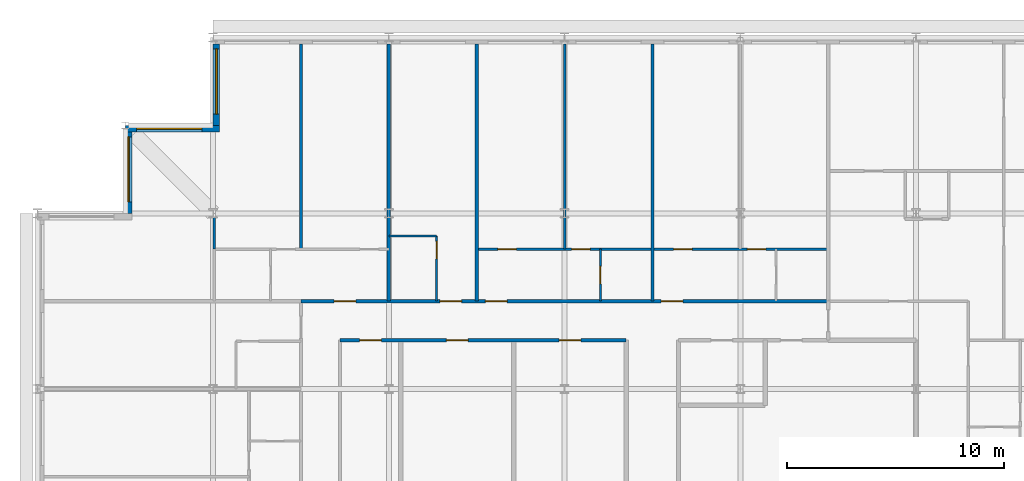
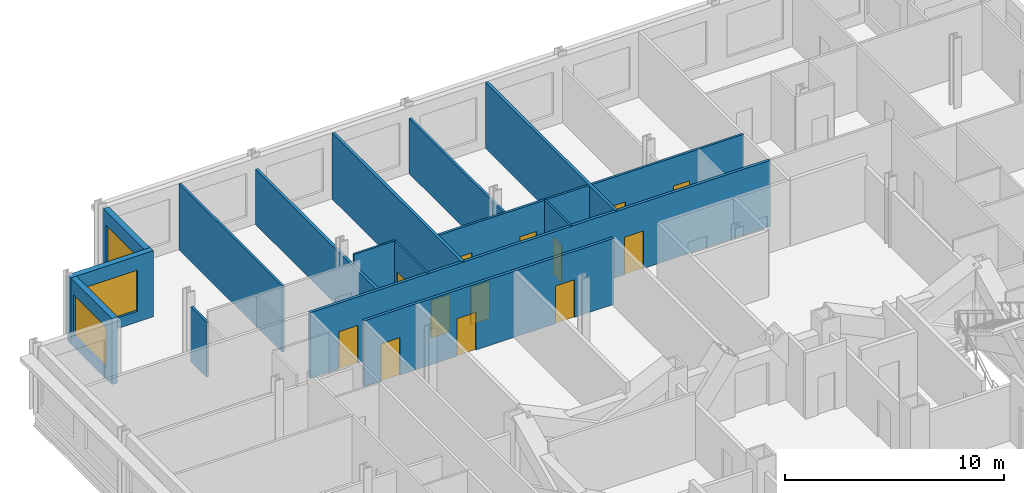
# One storey, part 12 of 15: 15 walls, 13 doors, 3 windows, 16 openings.
"""IFC4 building model written with IfcOpenShell, lengths in metres."""

from ifc_helpers import new_model, si_unit, direction, frame, frame_2d, origin, place, context, subcontext, project, spatial, rectangle, extrude, material, layer, layer_set, type_object, element, fill, save


model = new_model("IFC4")

# Units and contexts
model_context = context("Model", 3, precision=1e-05, world=origin(), true_north=direction((0.0, 1.0)))
body_context = subcontext(model_context, "Body", "Model", "MODEL_VIEW")
ifc_project = project(units=[si_unit("LENGTHUNIT", "METRE"), si_unit("AREAUNIT", "SQUARE_METRE"), si_unit("VOLUMEUNIT", "CUBIC_METRE"), si_unit("PLANEANGLEUNIT", "RADIAN"), si_unit("MASSUNIT", "GRAM", prefix="KILO")], contexts=[model_context])

# Site, building, storey
site_placement = place(None, origin())
site = spatial("IfcSite", under=ifc_project, at=site_placement, CompositionType="ELEMENT")
building_placement = place(site_placement, origin())
building = spatial("IfcBuilding", under=site, at=building_placement, Name="Kopane Lantern Tower", CompositionType="ELEMENT")
storey_placement = place(building_placement, frame((0.0, 0.0, 273.60009765625)))
storey = spatial("IfcBuildingStorey", under=building, at=storey_placement, Name="L70", CompositionType="ELEMENT", Elevation=273.60009765625)

# Wall, openings, doors
ifc_material_1 = material(Name="Gypsum board on steel studs", Category="steel")
ifc_layer_1 = layer(ifc_material_1, 0.1201171875)
ifc_layer_set_1 = layer_set([ifc_layer_1], Name="APARTMENT INTERNAL WALL 120")
wall_type_1 = type_object("IfcWallType", Name="APARTMENT INTERNAL WALL 120", PredefinedType="PARTITIONING", material=ifc_layer_set_1)
wall_1_placement = place(storey_placement, frame((20.25, 55.050048828125, 0.0), z_axis=(0.0, 0.0, 1.0), x_axis=(1.0, 0.0, 0.0)))
wall_1 = element("IfcWall", 1, at=wall_1_placement, inside=storey, type_object=wall_type_1, Name="Apartment Internal Wall 120 L70", PredefinedType="PARTITIONING", context=body_context, shape_type="SweptSolid", body=[
    extrude(rectangle(XDim=16.199951171875, YDim=0.1201171875, at=frame_2d((8.10009765625, 0.0))), origin(), (0.0, 0.0, 1.0), 3.68994140625),
])
opening_1_placement = place(wall_1_placement, frame((0.97509765625, 0.0, 0.0)))
opening_1 = element("IfcOpeningElement", 2, at=opening_1_placement, cuts=wall_1, Name="Opening L70-020", PredefinedType="OPENING", context=body_context, shape_type="SweptSolid", body=[
    extrude(rectangle(XDim=0.85009765625, YDim=2.10009765625, at=frame_2d((0.425048828125, 1.050048828125))), frame((0.0, 0.070068359375, 0.0), z_axis=(0.0, -1.0, 0.0), x_axis=(1.0, 0.0, 0.0)), (0.0, 0.0, 1.0), 0.14013671875),
])
opening_2_placement = place(wall_1_placement, frame((4.375, 0.0, 0.0)))
opening_2 = element("IfcOpeningElement", 3, at=opening_2_placement, cuts=wall_1, Name="Opening L70-021", PredefinedType="OPENING", context=body_context, shape_type="SweptSolid", body=[
    extrude(rectangle(XDim=0.85009765625, YDim=2.10009765625, at=frame_2d((0.425048828125, 1.050048828125))), frame((0.0, 0.070068359375, 0.0), z_axis=(0.0, -1.0, 0.0), x_axis=(1.0, 0.0, 0.0)), (0.0, 0.0, 1.0), 0.14013671875),
])
opening_3_placement = place(wall_1_placement, frame((9.074951171875, 0.0, 0.0)))
opening_3 = element("IfcOpeningElement", 4, at=opening_3_placement, cuts=wall_1, Name="Opening L70-024", PredefinedType="OPENING", context=body_context, shape_type="SweptSolid", body=[
    extrude(rectangle(XDim=0.85009765625, YDim=2.10009765625, at=frame_2d((0.425048828125, 1.050048828125))), frame((0.0, 0.070068359375, 0.0), z_axis=(0.0, -1.0, 0.0), x_axis=(1.0, 0.0, 0.0)), (0.0, 0.0, 1.0), 0.14013671875),
])
opening_4_placement = place(wall_1_placement, frame((12.47509765625, 0.0, 0.0)))
opening_4 = element("IfcOpeningElement", 5, at=opening_4_placement, cuts=wall_1, Name="Opening L70-025", PredefinedType="OPENING", context=body_context, shape_type="SweptSolid", body=[
    extrude(rectangle(XDim=0.85009765625, YDim=2.10009765625, at=frame_2d((0.425048828125, 1.050048828125))), frame((0.0, 0.070068359375, 0.0), z_axis=(0.0, -1.0, 0.0), x_axis=(1.0, 0.0, 0.0)), (0.0, 0.0, 1.0), 0.14013671875),
])
ifc_material_2 = material(Name="Timber door set", Category="wood")
door_type_1 = type_object("IfcDoorType", Name="DOOR D4 850x2100", OperationType="SINGLE_SWING_LEFT", PredefinedType="DOOR", material=ifc_material_2)
door_1_placement = place(opening_1_placement, origin())
door_1 = element("IfcDoor", 6, at=door_1_placement, inside=storey, type_object=door_type_1, Name="Door L70-020", OperationType="SINGLE_SWING_RIGHT", OverallHeight=2.10009765625, OverallWidth=0.85009765625, PredefinedType="DOOR", context=body_context, shape_type="SweptSolid", body=[
    extrude(rectangle(XDim=0.85009765625, YDim=2.10009765625, at=frame_2d((0.425048828125, 1.050048828125))), frame((0.0, 0.02490234375, 0.0), z_axis=(0.0, -1.0, 0.0), x_axis=(1.0, 0.0, 0.0)), (0.0, 0.0, 1.0), 0.050048828125),
])
fill(opening_1, door_1)
door_2_placement = place(opening_2_placement, origin())
door_2 = element("IfcDoor", 7, at=door_2_placement, inside=storey, type_object=door_type_1, Name="Door L70-021", OperationType="SINGLE_SWING_LEFT", OverallHeight=2.10009765625, OverallWidth=0.85009765625, PredefinedType="DOOR", context=body_context, shape_type="SweptSolid", body=[
    extrude(rectangle(XDim=0.85009765625, YDim=2.10009765625, at=frame_2d((0.425048828125, 1.050048828125))), frame((0.0, 0.02490234375, 0.0), z_axis=(0.0, -1.0, 0.0), x_axis=(1.0, 0.0, 0.0)), (0.0, 0.0, 1.0), 0.050048828125),
])
fill(opening_2, door_2)
door_3_placement = place(opening_3_placement, origin())
door_3 = element("IfcDoor", 8, at=door_3_placement, inside=storey, type_object=door_type_1, Name="Door L70-024", OperationType="SINGLE_SWING_RIGHT", OverallHeight=2.10009765625, OverallWidth=0.85009765625, PredefinedType="DOOR", context=body_context, shape_type="SweptSolid", body=[
    extrude(rectangle(XDim=0.85009765625, YDim=2.10009765625, at=frame_2d((0.425048828125, 1.050048828125))), frame((0.0, 0.02490234375, 0.0), z_axis=(0.0, -1.0, 0.0), x_axis=(1.0, 0.0, 0.0)), (0.0, 0.0, 1.0), 0.050048828125),
])
fill(opening_3, door_3)
door_4_placement = place(opening_4_placement, origin())
door_4 = element("IfcDoor", 9, at=door_4_placement, inside=storey, type_object=door_type_1, Name="Door L70-025", OperationType="SINGLE_SWING_LEFT", OverallHeight=2.10009765625, OverallWidth=0.85009765625, PredefinedType="DOOR", context=body_context, shape_type="SweptSolid", body=[
    extrude(rectangle(XDim=0.85009765625, YDim=2.10009765625, at=frame_2d((0.425048828125, 1.050048828125))), frame((0.0, 0.02490234375, 0.0), z_axis=(0.0, -1.0, 0.0), x_axis=(1.0, 0.0, 0.0)), (0.0, 0.0, 1.0), 0.050048828125),
])
fill(opening_4, door_4)

# Walls
wall_2_placement = place(storey_placement, frame((24.300048828125, 55.050048828125, 0.0), z_axis=(0.0, 0.0, 1.0), x_axis=(0.0, 1.0, 0.0)))
element("IfcWall", 10, at=wall_2_placement, inside=storey, type_object=wall_type_1, Name="Apartment Internal Wall 120 L70", PredefinedType="PARTITIONING", context=body_context, shape_type="SweptSolid", body=[
    extrude(rectangle(XDim=9.449951171875, YDim=0.1201171875, at=frame_2d((4.72509765625, 0.0))), origin(), (0.0, 0.0, 1.0), 3.07763671875),
])
wall_3_placement = place(storey_placement, frame((12.14990234375, 55.050048828125, 0.0), z_axis=(0.0, 0.0, 1.0), x_axis=(0.0, 1.0, 0.0)))
element("IfcWall", 11, at=wall_3_placement, inside=storey, type_object=wall_type_1, Name="Apartment Internal Wall 120 L70", PredefinedType="PARTITIONING", context=body_context, shape_type="SweptSolid", body=[
    extrude(rectangle(XDim=9.449951171875, YDim=0.1201171875, at=frame_2d((4.72509765625, 0.0))), origin(), (0.0, 0.0, 1.0), 3.68994140625),
])
wall_4_placement = place(storey_placement, frame((8.14990234375, 55.050048828125, 0.0), z_axis=(0.0, 0.0, 1.0), x_axis=(0.0, 1.0, 0.0)))
element("IfcWall", 12, at=wall_4_placement, inside=storey, type_object=wall_type_1, Name="Apartment Internal Wall 120 L70", PredefinedType="PARTITIONING", context=body_context, shape_type="SweptSolid", body=[
    extrude(rectangle(XDim=1.447021484375, YDim=0.1201171875, at=frame_2d((0.7236328125, 0.0))), origin(), (0.0, 0.0, 1.0), 3.07763671875),
])
ifc_material_3 = material(Name="Moisture-resistant board on steel studs", Category="steel")
ifc_layer_2 = layer(ifc_material_3, 0.10009765625)
ifc_layer_set_2 = layer_set([ifc_layer_2], Name="BATHROOM WALL 100")
wall_type_2 = type_object("IfcWallType", Name="BATHROOM WALL 100", PredefinedType="PARTITIONING", material=ifc_layer_set_2)
wall_5_placement = place(storey_placement, frame((16.199951171875, 55.64990234375, 0.0), z_axis=(0.0, 0.0, 1.0), x_axis=(1.0, 0.0, 0.0)))
element("IfcWall", 13, at=wall_5_placement, inside=storey, type_object=wall_type_2, Name="Bathroom Wall 100 L70", PredefinedType="PARTITIONING", context=body_context, shape_type="SweptSolid", body=[
    extrude(rectangle(XDim=2.199951171875, YDim=0.10009765625, at=frame_2d((1.10009765625, 0.0))), origin(), (0.0, 0.0, 1.0), 3.68994140625),
])

# Wall, opening, door
wall_6_placement = place(storey_placement, frame((18.39990234375, 52.64990234375, 0.0), z_axis=(0.0, 0.0, 1.0), x_axis=(0.0, 1.0, 0.0)))
wall_6 = element("IfcWall", 14, at=wall_6_placement, inside=storey, type_object=wall_type_2, Name="Bathroom Wall 100 L70", PredefinedType="PARTITIONING", context=body_context, shape_type="SweptSolid", body=[
    extrude(rectangle(XDim=3.0, YDim=0.10009765625, at=frame_2d((1.5, 0.0))), origin(), (0.0, 0.0, 1.0), 3.68994140625),
])
opening_5_placement = place(wall_6_placement, frame((1.949951171875, 0.0, 0.0)))
opening_5 = element("IfcOpeningElement", 15, at=opening_5_placement, cuts=wall_6, Name="Opening L70-016", PredefinedType="OPENING", context=body_context, shape_type="SweptSolid", body=[
    extrude(rectangle(XDim=0.800048828125, YDim=2.10009765625, at=frame_2d((0.39990234375, 1.050048828125))), frame((0.0, 0.06005859375, 0.0), z_axis=(0.0, -1.0, 0.0), x_axis=(1.0, 0.0, 0.0)), (0.0, 0.0, 1.0), 0.1201171875),
])
ifc_material_4 = material(Name="Timber door set", Category="wood")
door_type_2 = type_object("IfcDoorType", Name="DOOR D2 800x2100", OperationType="SINGLE_SWING_LEFT", PredefinedType="DOOR", material=ifc_material_4)
door_5_placement = place(opening_5_placement, origin())
door_5 = element("IfcDoor", 16, at=door_5_placement, inside=storey, type_object=door_type_2, Name="Door L70-016", OperationType="SINGLE_SWING_RIGHT", OverallHeight=2.10009765625, OverallWidth=0.800048828125, PredefinedType="DOOR", context=body_context, shape_type="SweptSolid", body=[
    extrude(rectangle(XDim=0.800048828125, YDim=2.10009765625, at=frame_2d((0.39990234375, 1.050048828125))), frame((0.0, 0.02490234375, 0.0), z_axis=(0.0, -1.0, 0.0), x_axis=(1.0, 0.0, 0.0)), (0.0, 0.0, 1.0), 0.050048828125),
])
fill(opening_5, door_5)

wall_7_placement = place(storey_placement, frame((25.949951171875, 52.64990234375, 0.0), z_axis=(0.0, 0.0, 1.0), x_axis=(0.0, 1.0, 0.0)))
wall_7 = element("IfcWall", 17, at=wall_7_placement, inside=storey, type_object=wall_type_2, Name="Bathroom Wall 100 L70", PredefinedType="PARTITIONING", context=body_context, shape_type="SweptSolid", body=[
    extrude(rectangle(XDim=2.400146484375, YDim=0.10009765625, at=frame_2d((1.2001953125, 0.0))), origin(), (0.0, 0.0, 1.0), 3.68994140625),
])
opening_6_placement = place(wall_7_placement, frame((0.800048828125, 0.0, 0.0)))
opening_6 = element("IfcOpeningElement", 18, at=opening_6_placement, cuts=wall_7, Name="Opening L70-018", PredefinedType="OPENING", context=body_context, shape_type="SweptSolid", body=[
    extrude(rectangle(XDim=0.800048828125, YDim=2.10009765625, at=frame_2d((0.39990234375, 1.050048828125))), frame((0.0, 0.06005859375, 0.0), z_axis=(0.0, -1.0, 0.0), x_axis=(1.0, 0.0, 0.0)), (0.0, 0.0, 1.0), 0.1201171875),
])
door_6_placement = place(opening_6_placement, origin())
door_6 = element("IfcDoor", 19, at=door_6_placement, inside=storey, type_object=door_type_2, Name="Door L70-018", OperationType="SINGLE_SWING_RIGHT", OverallHeight=2.10009765625, OverallWidth=0.800048828125, PredefinedType="DOOR", context=body_context, shape_type="SweptSolid", body=[
    extrude(rectangle(XDim=0.800048828125, YDim=2.10009765625, at=frame_2d((0.39990234375, 1.050048828125))), frame((0.0, 0.02490234375, 0.0), z_axis=(0.0, -1.0, 0.0), x_axis=(1.0, 0.0, 0.0)), (0.0, 0.0, 1.0), 0.050048828125),
])
fill(opening_6, door_6)

# Wall, openings, doors
ifc_material_5 = material(Name="Gypsum board on steel studs", Category="steel")
ifc_layer_3 = layer(ifc_material_5, 0.14990234375)
ifc_layer_set_3 = layer_set([ifc_layer_3], Name="CORRIDOR WALL 150 EI 60")
wall_type_3 = type_object("IfcWallType", Name="CORRIDOR WALL 150 EI 60", PredefinedType="PARTITIONING", material=ifc_layer_set_3)
wall_8_placement = place(storey_placement, frame((12.14990234375, 52.64990234375, 0.0), z_axis=(0.0, 0.0, 1.0), x_axis=(1.0, 0.0, 0.0)))
wall_8 = element("IfcWall", 20, at=wall_8_placement, inside=storey, type_object=wall_type_3, Name="Corridor Wall 150 Ei 60 L70", PredefinedType="PARTITIONING", context=body_context, shape_type="SweptSolid", body=[
    extrude(rectangle(XDim=24.300048828125, YDim=0.14990234375, at=frame_2d((12.14990234375, 0.0))), origin(), (0.0, 0.0, 1.0), 3.68994140625),
])
opening_7_placement = place(wall_8_placement, frame((6.39990234375, 0.0, 0.0)))
opening_7 = element("IfcOpeningElement", 21, at=opening_7_placement, cuts=wall_8, Name="Opening L70-017", PredefinedType="OPENING", context=body_context, shape_type="SweptSolid", body=[
    extrude(rectangle(XDim=1.0, YDim=2.10009765625, at=frame_2d((0.5, 1.050048828125))), frame((0.0, 0.0849609375, 0.0), z_axis=(0.0, -1.0, 0.0), x_axis=(1.0, 0.0, 0.0)), (0.0, 0.0, 1.0), 0.169921875),
])
opening_8_placement = place(wall_8_placement, frame((8.5, 0.0, 0.0)))
opening_8 = element("IfcOpeningElement", 22, at=opening_8_placement, cuts=wall_8, Name="Opening L70-019", PredefinedType="OPENING", context=body_context, shape_type="SweptSolid", body=[
    extrude(rectangle(XDim=1.0, YDim=2.10009765625, at=frame_2d((0.5, 1.050048828125))), frame((0.0, 0.0849609375, 0.0), z_axis=(0.0, -1.0, 0.0), x_axis=(1.0, 0.0, 0.0)), (0.0, 0.0, 1.0), 0.169921875),
])
opening_9_placement = place(wall_8_placement, frame((16.60009765625, 0.0, 0.0)))
opening_9 = element("IfcOpeningElement", 23, at=opening_9_placement, cuts=wall_8, Name="Opening L70-023", PredefinedType="OPENING", context=body_context, shape_type="SweptSolid", body=[
    extrude(rectangle(XDim=1.0, YDim=2.10009765625, at=frame_2d((0.5, 1.050048828125))), frame((0.0, 0.0849609375, 0.0), z_axis=(0.0, -1.0, 0.0), x_axis=(1.0, 0.0, 0.0)), (0.0, 0.0, 1.0), 0.169921875),
])
opening_10_placement = place(wall_8_placement, frame((1.52490234375, 0.0, 0.0)))
opening_10 = element("IfcOpeningElement", 24, at=opening_10_placement, cuts=wall_8, Name="Opening L70-041", PredefinedType="OPENING", context=body_context, shape_type="SweptSolid", body=[
    extrude(rectangle(XDim=1.0, YDim=2.10009765625, at=frame_2d((0.5, 1.050048828125))), frame((0.0, 0.0849609375, 0.0), z_axis=(0.0, -1.0, 0.0), x_axis=(1.0, 0.0, 0.0)), (0.0, 0.0, 1.0), 0.169921875),
])
ifc_material_6 = material(Name="Steel door set", Category="steel")
door_type_3 = type_object("IfcDoorType", Name="DOOR D3 1000x2100 FD30S", OperationType="SINGLE_SWING_LEFT", PredefinedType="DOOR", material=ifc_material_6)
door_7_placement = place(opening_7_placement, origin())
door_7 = element("IfcDoor", 25, at=door_7_placement, inside=storey, type_object=door_type_3, Name="Door L70-017", OperationType="SINGLE_SWING_LEFT", OverallHeight=2.10009765625, OverallWidth=1.0, PredefinedType="DOOR", context=body_context, shape_type="SweptSolid", body=[
    extrude(rectangle(XDim=1.0, YDim=2.10009765625, at=frame_2d((0.5, 1.050048828125))), frame((0.0, 0.02490234375, 0.0), z_axis=(0.0, -1.0, 0.0), x_axis=(1.0, 0.0, 0.0)), (0.0, 0.0, 1.0), 0.050048828125),
])
fill(opening_7, door_7)
door_8_placement = place(opening_8_placement, origin())
door_8 = element("IfcDoor", 26, at=door_8_placement, inside=storey, type_object=door_type_3, Name="Door L70-019", OperationType="SINGLE_SWING_LEFT", OverallHeight=2.10009765625, OverallWidth=1.0, PredefinedType="DOOR", context=body_context, shape_type="SweptSolid", body=[
    extrude(rectangle(XDim=1.0, YDim=2.10009765625, at=frame_2d((0.5, 1.050048828125))), frame((0.0, 0.02490234375, 0.0), z_axis=(0.0, -1.0, 0.0), x_axis=(1.0, 0.0, 0.0)), (0.0, 0.0, 1.0), 0.050048828125),
])
fill(opening_8, door_8)
door_9_placement = place(opening_9_placement, origin())
door_9 = element("IfcDoor", 27, at=door_9_placement, inside=storey, type_object=door_type_3, Name="Door L70-023", OperationType="SINGLE_SWING_LEFT", OverallHeight=2.10009765625, OverallWidth=1.0, PredefinedType="DOOR", context=body_context, shape_type="SweptSolid", body=[
    extrude(rectangle(XDim=1.0, YDim=2.10009765625, at=frame_2d((0.5, 1.050048828125))), frame((0.0, 0.02490234375, 0.0), z_axis=(0.0, -1.0, 0.0), x_axis=(1.0, 0.0, 0.0)), (0.0, 0.0, 1.0), 0.050048828125),
])
fill(opening_9, door_9)
door_10_placement = place(opening_10_placement, origin())
door_10 = element("IfcDoor", 28, at=door_10_placement, inside=storey, type_object=door_type_3, Name="Door L70-041", OperationType="SINGLE_SWING_RIGHT", OverallHeight=2.10009765625, OverallWidth=1.0, PredefinedType="DOOR", context=body_context, shape_type="SweptSolid", body=[
    extrude(rectangle(XDim=1.0, YDim=2.10009765625, at=frame_2d((0.5, 1.050048828125))), frame((0.0, 0.02490234375, 0.0), z_axis=(0.0, -1.0, 0.0), x_axis=(1.0, 0.0, 0.0)), (0.0, 0.0, 1.0), 0.050048828125),
])
fill(opening_10, door_10)

wall_9_placement = place(storey_placement, frame((13.949951171875, 50.85009765625, 0.0), z_axis=(0.0, 0.0, 1.0), x_axis=(1.0, 0.0, 0.0)))
wall_9 = element("IfcWall", 29, at=wall_9_placement, inside=storey, type_object=wall_type_3, Name="Corridor Wall 150 Ei 60 L70", PredefinedType="PARTITIONING", context=body_context, shape_type="SweptSolid", body=[
    extrude(rectangle(XDim=13.18994140625, YDim=0.14990234375, at=frame_2d((6.594970703125, 0.0))), origin(), (0.0, 0.0, 1.0), 3.68994140625),
])
opening_11_placement = place(wall_9_placement, frame((0.90087890625, 0.0, 0.0)))
opening_11 = element("IfcOpeningElement", 30, at=opening_11_placement, cuts=wall_9, Name="Opening L70-003", PredefinedType="OPENING", context=body_context, shape_type="SweptSolid", body=[
    extrude(rectangle(XDim=1.0, YDim=2.10009765625, at=frame_2d((0.5, 1.050048828125))), frame((0.0, 0.0849609375, 0.0), z_axis=(0.0, -1.0, 0.0), x_axis=(1.0, 0.0, 0.0)), (0.0, 0.0, 1.0), 0.169921875),
])
opening_12_placement = place(wall_9_placement, frame((4.9013671875, 0.0, 0.0)))
opening_12 = element("IfcOpeningElement", 31, at=opening_12_placement, cuts=wall_9, Name="Opening L70-004", PredefinedType="OPENING", context=body_context, shape_type="SweptSolid", body=[
    extrude(rectangle(XDim=1.0, YDim=2.10009765625, at=frame_2d((0.5, 1.050048828125))), frame((0.0, 0.0849609375, 0.0), z_axis=(0.0, -1.0, 0.0), x_axis=(1.0, 0.0, 0.0)), (0.0, 0.0, 1.0), 0.169921875),
])
opening_13_placement = place(wall_9_placement, frame((10.1005859375, 0.0, 0.0)))
opening_13 = element("IfcOpeningElement", 32, at=opening_13_placement, cuts=wall_9, Name="Opening L70-005", PredefinedType="OPENING", context=body_context, shape_type="SweptSolid", body=[
    extrude(rectangle(XDim=1.0, YDim=2.10009765625, at=frame_2d((0.5, 1.050048828125))), frame((0.0, 0.0849609375, 0.0), z_axis=(0.0, -1.0, 0.0), x_axis=(1.0, 0.0, 0.0)), (0.0, 0.0, 1.0), 0.169921875),
])
ifc_material_7 = material(Name="Steel door set", Category="steel")
door_type_4 = type_object("IfcDoorType", Name="DOOR D5 1000x2100 FD60", OperationType="SINGLE_SWING_LEFT", PredefinedType="DOOR", material=ifc_material_7)
door_11_placement = place(opening_11_placement, origin())
door_11 = element("IfcDoor", 33, at=door_11_placement, inside=storey, type_object=door_type_4, Name="Door L70-003", OperationType="SINGLE_SWING_RIGHT", OverallHeight=2.10009765625, OverallWidth=1.0, PredefinedType="DOOR", context=body_context, shape_type="SweptSolid", body=[
    extrude(rectangle(XDim=1.0, YDim=2.10009765625, at=frame_2d((0.5, 1.050048828125))), frame((0.0, 0.02490234375, 0.0), z_axis=(0.0, -1.0, 0.0), x_axis=(1.0, 0.0, 0.0)), (0.0, 0.0, 1.0), 0.050048828125),
])
fill(opening_11, door_11)
door_12_placement = place(opening_12_placement, origin())
door_12 = element("IfcDoor", 34, at=door_12_placement, inside=storey, type_object=door_type_4, Name="Door L70-004", OperationType="SINGLE_SWING_LEFT", OverallHeight=2.10009765625, OverallWidth=1.0, PredefinedType="DOOR", context=body_context, shape_type="SweptSolid", body=[
    extrude(rectangle(XDim=1.0, YDim=2.10009765625, at=frame_2d((0.5, 1.050048828125))), frame((0.0, 0.02490234375, 0.0), z_axis=(0.0, -1.0, 0.0), x_axis=(1.0, 0.0, 0.0)), (0.0, 0.0, 1.0), 0.050048828125),
])
fill(opening_12, door_12)
door_13_placement = place(opening_13_placement, origin())
door_13 = element("IfcDoor", 35, at=door_13_placement, inside=storey, type_object=door_type_4, Name="Door L70-005", OperationType="SINGLE_SWING_RIGHT", OverallHeight=2.10009765625, OverallWidth=1.0, PredefinedType="DOOR", context=body_context, shape_type="SweptSolid", body=[
    extrude(rectangle(XDim=1.0, YDim=2.10009765625, at=frame_2d((0.5, 1.050048828125))), frame((0.0, 0.02490234375, 0.0), z_axis=(0.0, -1.0, 0.0), x_axis=(1.0, 0.0, 0.0)), (0.0, 0.0, 1.0), 0.050048828125),
])
fill(opening_13, door_13)

# Walls
ifc_material_8 = material(Name="Gypsum board on steel studs", Category="steel")
ifc_layer_4 = layer(ifc_material_8, 0.14990234375)
ifc_layer_set_4 = layer_set([ifc_layer_4], Name="DEMISING WALL 150 EI 60")
wall_type_4 = type_object("IfcWallType", Name="DEMISING WALL 150 EI 60", PredefinedType="PARTITIONING", material=ifc_layer_set_4)
for number, where, z_axis, x_axis, name in (
    (36, (20.25, 52.64990234375, 0.0), (0.0, 0.0, 1.0), (0.0, 1.0, 0.0), "Demising Wall 150 Ei 60 L70"),
    (37, (28.35009765625, 52.64990234375, 0.0), (0.0, 0.0, 1.0), (0.0, 1.0, 0.0), "Demising Wall 150 Ei 60 L70"),
):
    element("IfcWall", number, at=place(storey_placement, frame(where, z_axis=z_axis, x_axis=x_axis)), inside=storey, type_object=wall_type_4, Name=name, PredefinedType="PARTITIONING", context=body_context, shape_type="SweptSolid", body=[
        extrude(rectangle(XDim=11.85009765625, YDim=0.14990234375, at=frame_2d((5.925048828125, 0.0))), origin(), (0.0, 0.0, 1.0), 3.68994140625),
    ])
wall_10_placement = place(storey_placement, frame((16.199951171875, 52.64990234375, 0.0), z_axis=(0.0, 0.0, 1.0), x_axis=(0.0, 1.0, 0.0)))
element("IfcWall", 38, at=wall_10_placement, inside=storey, type_object=wall_type_4, Name="Demising Wall 150 Ei 60 L70", PredefinedType="PARTITIONING", context=body_context, shape_type="SweptSolid", body=[
    extrude(rectangle(XDim=11.85009765625, YDim=0.14990234375, at=frame_2d((5.925048828125, 0.0))), origin(), (0.0, 0.0, 1.0), 3.07763671875),
])

# Wall, opening, window
ifc_material_9 = material(Name="Terracotta rainscreen on light steel framing", Category="masonry")
ifc_layer_5 = layer(ifc_material_9, 0.300048828125)
ifc_layer_set_5 = layer_set([ifc_layer_5], Name="EXTERNAL WALL EW1 300 TERRACOTTA")
wall_type_5 = type_object("IfcWallType", Name="EXTERNAL WALL EW1 300 TERRACOTTA", PredefinedType="SOLIDWALL", material=ifc_layer_set_5)
wall_11_placement = place(storey_placement, frame((8.25, 64.5, 0.0), z_axis=(0.0, 0.0, 1.0), x_axis=(0.0, -1.0, 0.0)))
wall_11 = element("IfcWall", 39, at=wall_11_placement, inside=storey, type_object=wall_type_5, Name="External wall W L70", PredefinedType="SOLIDWALL", context=body_context, shape_type="SweptSolid", body=[
    extrude(rectangle(XDim=3.75, YDim=0.300048828125, at=frame_2d((1.875, 0.0))), origin(), (0.0, 0.0, 1.0), 3.68994140625),
])
opening_14_placement = place(wall_11_placement, frame((0.22509765625, 0.0, 0.60009765625)))
opening_14 = element("IfcOpeningElement", 40, at=opening_14_placement, cuts=wall_11, Name="Opening WR300230", PredefinedType="OPENING", context=body_context, shape_type="SweptSolid", body=[
    extrude(rectangle(XDim=3.0, YDim=2.300048828125, at=frame_2d((1.5, 1.14990234375))), frame((0.0, 0.159912109375, 0.0), z_axis=(0.0, -1.0, 0.0), x_axis=(1.0, 0.0, 0.0)), (0.0, 0.0, 1.0), 0.320068359375),
])
ifc_material_10 = material(Name="Aluminium and clear glass", Category="aluminium")
window_type = type_object("IfcWindowType", Name="RIBBON WINDOW WR300230 3000x2300", PartitioningType="SINGLE_PANEL", PredefinedType="WINDOW", material=ifc_material_10)
window_1_placement = place(opening_14_placement, origin())
window_1 = element("IfcWindow", 41, at=window_1_placement, inside=storey, type_object=window_type, Name="Window W L70", OverallHeight=2.300048828125, OverallWidth=3.0, PartitioningType="SINGLE_PANEL", PredefinedType="WINDOW", context=body_context, shape_type="SweptSolid", body=[
    extrude(rectangle(XDim=3.0, YDim=2.300048828125, at=frame_2d((1.5, 1.14990234375))), frame((0.0, 0.030029296875, 0.0), z_axis=(0.0, -1.0, 0.0), x_axis=(1.0, 0.0, 0.0)), (0.0, 0.0, 1.0), 0.06005859375),
])
fill(opening_14, window_1)

wall_12_placement = place(storey_placement, frame((8.39990234375, 60.60009765625, 0.0), z_axis=(0.0, 0.0, 1.0), x_axis=(-1.0, 0.0, 0.0)))
wall_12 = element("IfcWall", 42, at=wall_12_placement, inside=storey, type_object=wall_type_5, Name="External wall N L70", PredefinedType="SOLIDWALL", context=body_context, shape_type="SweptSolid", body=[
    extrude(rectangle(XDim=4.349853515625, YDim=0.300048828125, at=frame_2d((2.1748046875, 0.0))), origin(), (0.0, 0.0, 1.0), 3.68994140625),
])
opening_15_placement = place(wall_12_placement, frame((0.824951171875, 0.0, 0.60009765625)))
opening_15 = element("IfcOpeningElement", 43, at=opening_15_placement, cuts=wall_12, Name="Opening WR300230", PredefinedType="OPENING", context=body_context, shape_type="SweptSolid", body=[
    extrude(rectangle(XDim=3.0, YDim=2.300048828125, at=frame_2d((1.5, 1.14990234375))), frame((0.0, 0.159912109375, 0.0), z_axis=(0.0, -1.0, 0.0), x_axis=(1.0, 0.0, 0.0)), (0.0, 0.0, 1.0), 0.320068359375),
])
window_2_placement = place(opening_15_placement, origin())
window_2 = element("IfcWindow", 44, at=window_2_placement, inside=storey, type_object=window_type, Name="Window N L70", OverallHeight=2.300048828125, OverallWidth=3.0, PartitioningType="SINGLE_PANEL", PredefinedType="WINDOW", context=body_context, shape_type="SweptSolid", body=[
    extrude(rectangle(XDim=3.0, YDim=2.300048828125, at=frame_2d((1.5, 1.14990234375))), frame((0.0, 0.030029296875, 0.0), z_axis=(0.0, -1.0, 0.0), x_axis=(1.0, 0.0, 0.0)), (0.0, 0.0, 1.0), 0.06005859375),
])
fill(opening_15, window_2)

wall_13_placement = place(storey_placement, frame((4.199951171875, 60.449951171875, 0.0), z_axis=(0.0, 0.0, 1.0), x_axis=(0.0, -1.0, 0.0)))
wall_13 = element("IfcWall", 45, at=wall_13_placement, inside=storey, type_object=wall_type_5, Name="External wall W L70", PredefinedType="SOLIDWALL", context=body_context, shape_type="SweptSolid", body=[
    extrude(rectangle(XDim=3.75, YDim=0.300048828125, at=frame_2d((1.875, 0.0))), origin(), (0.0, 0.0, 1.0), 3.68994140625),
])
opening_16_placement = place(wall_13_placement, frame((0.22509765625, 0.0, 0.60009765625)))
opening_16 = element("IfcOpeningElement", 46, at=opening_16_placement, cuts=wall_13, Name="Opening WR300230", PredefinedType="OPENING", context=body_context, shape_type="SweptSolid", body=[
    extrude(rectangle(XDim=3.0, YDim=2.300048828125, at=frame_2d((1.5, 1.14990234375))), frame((0.0, 0.159912109375, 0.0), z_axis=(0.0, -1.0, 0.0), x_axis=(1.0, 0.0, 0.0)), (0.0, 0.0, 1.0), 0.320068359375),
])
window_3_placement = place(opening_16_placement, origin())
window_3 = element("IfcWindow", 47, at=window_3_placement, inside=storey, type_object=window_type, Name="Window W L70", OverallHeight=2.300048828125, OverallWidth=3.0, PartitioningType="SINGLE_PANEL", PredefinedType="WINDOW", context=body_context, shape_type="SweptSolid", body=[
    extrude(rectangle(XDim=3.0, YDim=2.300048828125, at=frame_2d((1.5, 1.14990234375))), frame((0.0, 0.030029296875, 0.0), z_axis=(0.0, -1.0, 0.0), x_axis=(1.0, 0.0, 0.0)), (0.0, 0.0, 1.0), 0.06005859375),
])
fill(opening_16, window_3)

save(model, "model.ifc")
